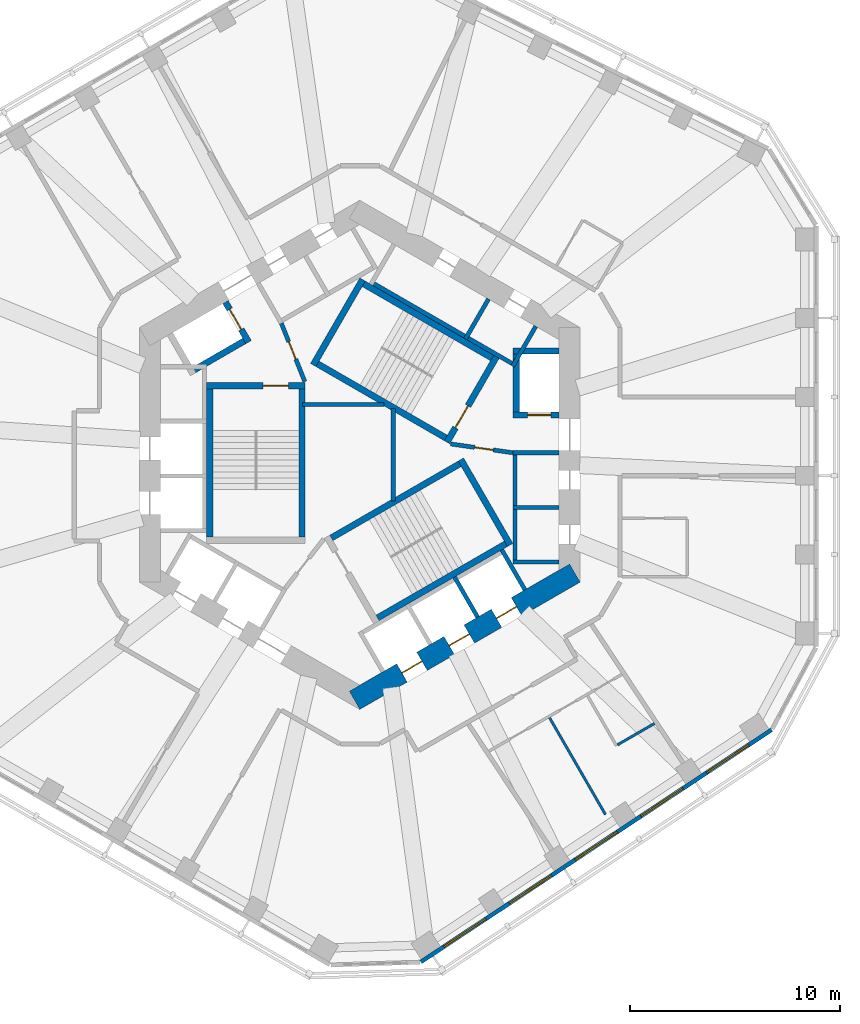
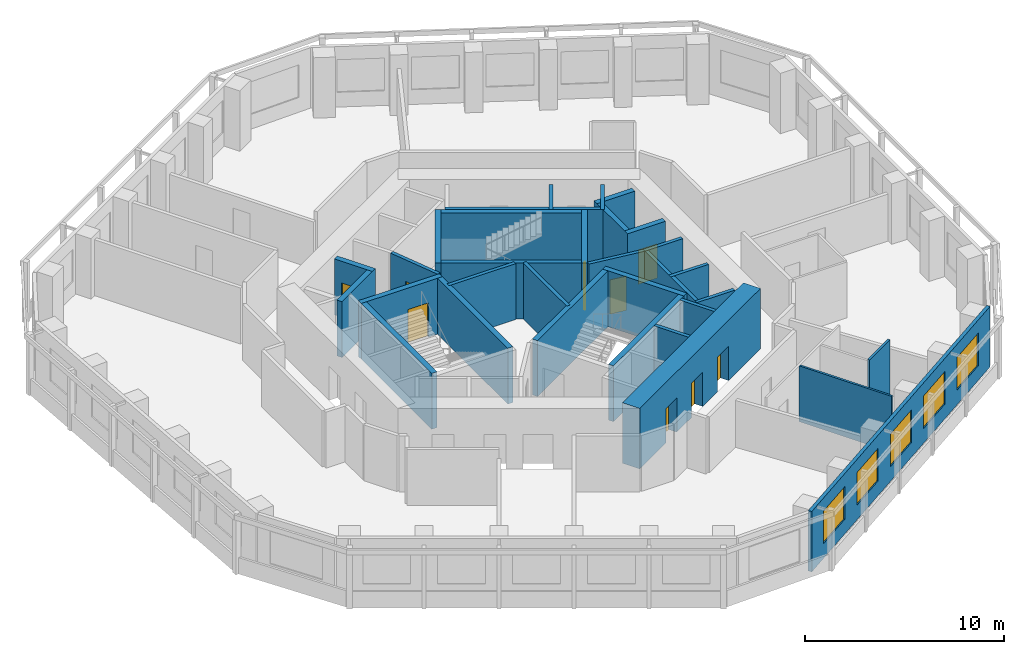
# One storey, part 5 of 10: 32 walls, 9 doors, 5 windows, 14 openings.
"""IFC4 building model written with IfcOpenShell, lengths in metres."""

from ifc_helpers import new_model, si_unit, direction, frame, frame_2d, origin, place, context, subcontext, project, spatial, rectangle, extrude, material, layer, layer_set, type_object, element, fill, save


model = new_model("IFC4")

# Units and contexts
model_context = context("Model", 3, precision=1e-05, world=origin(), true_north=direction((0.0, 1.0)))
body_context = subcontext(model_context, "Body", "Model", "MODEL_VIEW")
ifc_project = project(units=[si_unit("LENGTHUNIT", "METRE"), si_unit("AREAUNIT", "SQUARE_METRE"), si_unit("VOLUMEUNIT", "CUBIC_METRE"), si_unit("PLANEANGLEUNIT", "RADIAN"), si_unit("MASSUNIT", "GRAM", prefix="KILO")], contexts=[model_context])

# Site, building, storey
site_placement = place(None, origin())
site = spatial("IfcSite", under=ifc_project, at=site_placement, CompositionType="ELEMENT")
building_placement = place(site_placement, origin())
building = spatial("IfcBuilding", under=site, at=building_placement, Name="Vanh Sen Convention Tower", CompositionType="ELEMENT")
storey_placement = place(building_placement, frame((0.0, 0.0, 194.699951171875)))
storey = spatial("IfcBuildingStorey", under=building, at=storey_placement, Name="L48", CompositionType="ELEMENT", Elevation=194.699951171875)

# Walls
ifc_material_1 = material(Name="Moisture-resistant gypsum board on steel studs", Category="steel")
ifc_layer_1 = layer(ifc_material_1, 0.1201171875)
ifc_layer_set_1 = layer_set([ifc_layer_1], Name="Moisture-resistant gypsum board on steel studs")
wall_type_1 = type_object("IfcWallType", Name="Bathroom partition 120", PredefinedType="PARTITIONING", material=ifc_layer_set_1)
wall_1_placement = place(storey_placement, frame((11.705322265625, -17.1357421875, 0.0), z_axis=(0.0, 0.0, 1.0), x_axis=(-0.499985382219, 0.8660338432, 0.0)))
element("IfcWall", 1, at=wall_1_placement, inside=storey, type_object=wall_type_1, Name="Bathroom partition 120", PredefinedType="PARTITIONING", context=body_context, shape_type="SweptSolid", body=[
    extrude(rectangle(XDim=5.331787109375, YDim=0.1201171875, at=frame_2d((2.666015625, 0.0))), origin(), (0.0, 0.0, 1.0), 3.420166015625),
])
wall_2_placement = place(storey_placement, frame((12.274658203125, -13.814453125, 0.0), z_axis=(0.0, 0.0, 1.0), x_axis=(0.866010195725, 0.500026340207, 0.0)))
element("IfcWall", 2, at=wall_2_placement, inside=storey, type_object=wall_type_1, Name="Bathroom partition 120", PredefinedType="PARTITIONING", context=body_context, shape_type="SweptSolid", body=[
    extrude(rectangle(XDim=2.0400390625, YDim=0.1201171875, at=frame_2d((1.02001953125, 0.0))), origin(), (0.0, 0.0, 1.0), 3.420166015625),
])

# Wall, openings, doors
ifc_material_2 = material(Name="Concrete C80/95", Category="concrete")
ifc_layer_2 = layer(ifc_material_2, 1.0)
ifc_layer_set_2 = layer_set([ifc_layer_2], Name="Concrete C80/95")
wall_type_2 = type_object("IfcWallType", Name="Core outer wall 1000 C80/95", PredefinedType="SHEAR", material=ifc_layer_set_2)
wall_3_placement = place(storey_placement, frame((-0.25, -11.69140625, 0.0), z_axis=(0.0, 0.0, 1.0), x_axis=(0.866022616891, 0.50000482701, 0.0)))
wall_3 = element("IfcWall", 3, at=wall_3_placement, inside=storey, type_object=wall_type_2, Name="Core wall face SE L48", PredefinedType="SHEAR", context=body_context, shape_type="SweptSolid", body=[
    extrude(rectangle(XDim=12.12451171875, YDim=1.0, at=frame_2d((6.062255859375, 0.0))), origin(), (0.0, 0.0, 1.0), 3.699951171875),
])
opening_1_placement = place(wall_3_placement, frame((2.6123046875, 0.0, 0.0)))
opening_1 = element("IfcOpeningElement", 4, at=opening_1_placement, cuts=wall_3, Name="Opening LD-HR5", PredefinedType="OPENING", context=body_context, shape_type="SweptSolid", body=[
    extrude(rectangle(XDim=1.10009765625, YDim=2.10009765625, at=frame_2d((0.550048828125, 1.050048828125))), frame((0.0, 0.510009765625, 0.0), z_axis=(0.0, -1.0, 0.0), x_axis=(1.0, 0.0, 0.0)), (0.0, 0.0, 1.0), 1.02001953125),
])
opening_2_placement = place(wall_3_placement, frame((5.212158203125, 0.0, 0.0)))
opening_2 = element("IfcOpeningElement", 5, at=opening_2_placement, cuts=wall_3, Name="Opening LD-HR6", PredefinedType="OPENING", context=body_context, shape_type="SweptSolid", body=[
    extrude(rectangle(XDim=1.10009765625, YDim=2.10009765625, at=frame_2d((0.550048828125, 1.050048828125))), frame((0.0, 0.510009765625, 0.0), z_axis=(0.0, -1.0, 0.0), x_axis=(1.0, 0.0, 0.0)), (0.0, 0.0, 1.0), 1.02001953125),
])
opening_3_placement = place(wall_3_placement, frame((7.812255859375, 0.0, 0.0)))
opening_3 = element("IfcOpeningElement", 6, at=opening_3_placement, cuts=wall_3, Name="Opening LD-SV1", PredefinedType="OPENING", context=body_context, shape_type="SweptSolid", body=[
    extrude(rectangle(XDim=1.10009765625, YDim=2.10009765625, at=frame_2d((0.550048828125, 1.050048828125))), frame((0.0, 0.510009765625, 0.0), z_axis=(0.0, -1.0, 0.0), x_axis=(1.0, 0.0, 0.0)), (0.0, 0.0, 1.0), 1.02001953125),
])
ifc_material_3 = material(Name="Stainless steel", Category="steel")
door_type_1 = type_object("IfcDoorType", Name="Lift landing door 1100", OperationType="DOUBLE_DOOR_SLIDING", PredefinedType="DOOR", material=ifc_material_3)
door_1_placement = place(opening_1_placement, origin())
door_1 = element("IfcDoor", 7, at=door_1_placement, inside=storey, type_object=door_type_1, Name="Lift HR5 landing door LD-HR5", OperationType="DOUBLE_DOOR_SLIDING", OverallHeight=2.10009765625, OverallWidth=1.10009765625, PredefinedType="DOOR", context=body_context, shape_type="SweptSolid", body=[
    extrude(rectangle(XDim=1.10009765625, YDim=2.10009765625, at=frame_2d((0.550048828125, 1.050048828125))), frame((0.0, 0.02490234375, 0.0), z_axis=(0.0, -1.0, 0.0), x_axis=(1.0, 0.0, 0.0)), (0.0, 0.0, 1.0), 0.050048828125),
])
fill(opening_1, door_1)
door_2_placement = place(opening_2_placement, origin())
door_2 = element("IfcDoor", 8, at=door_2_placement, inside=storey, type_object=door_type_1, Name="Lift HR6 landing door LD-HR6", OperationType="DOUBLE_DOOR_SLIDING", OverallHeight=2.10009765625, OverallWidth=1.10009765625, PredefinedType="DOOR", context=body_context, shape_type="SweptSolid", body=[
    extrude(rectangle(XDim=1.10009765625, YDim=2.10009765625, at=frame_2d((0.550048828125, 1.050048828125))), frame((0.0, 0.02490234375, 0.0), z_axis=(0.0, -1.0, 0.0), x_axis=(1.0, 0.0, 0.0)), (0.0, 0.0, 1.0), 0.050048828125),
])
fill(opening_2, door_2)
door_3_placement = place(opening_3_placement, origin())
door_3 = element("IfcDoor", 9, at=door_3_placement, inside=storey, type_object=door_type_1, Name="Lift SV1 landing door LD-SV1", OperationType="DOUBLE_DOOR_SLIDING", OverallHeight=2.10009765625, OverallWidth=1.10009765625, PredefinedType="DOOR", context=body_context, shape_type="SweptSolid", body=[
    extrude(rectangle(XDim=1.10009765625, YDim=2.10009765625, at=frame_2d((0.550048828125, 1.050048828125))), frame((0.0, 0.02490234375, 0.0), z_axis=(0.0, -1.0, 0.0), x_axis=(1.0, 0.0, 0.0)), (0.0, 0.0, 1.0), 0.050048828125),
])
fill(opening_3, door_3)

# Walls
ifc_material_4 = material(Name="Masonry blockwork", Category="masonry")
ifc_layer_3 = layer(ifc_material_4, 0.199951171875)
ifc_layer_set_3 = layer_set([ifc_layer_3], Name="Masonry blockwork")
wall_type_3 = type_object("IfcWallType", Name="Core partition 200", PredefinedType="PARTITIONING", material=ifc_layer_set_3)
wall_4_placement = place(storey_placement, frame((-2.719970703125, 2.39990234375, 0.0), z_axis=(0.0, 0.0, 1.0), x_axis=(1.0, 0.0, 0.0)))
element("IfcWall", 10, at=wall_4_placement, inside=storey, type_object=wall_type_3, Name="Core partition L48", PredefinedType="PARTITIONING", context=body_context, shape_type="SweptSolid", body=[
    extrude(rectangle(XDim=3.883056640625, YDim=0.199951171875, at=frame_2d((1.94140625, 0.0))), origin(), (0.0, 0.0, 1.0), 3.420166015625),
])
wall_5_placement = place(storey_placement, frame((1.60009765625, -2.198486328125, 0.0), z_axis=(0.0, 0.0, 1.0), x_axis=(0.0, 1.0, 0.0)))
element("IfcWall", 11, at=wall_5_placement, inside=storey, type_object=wall_type_3, Name="Core partition L48", PredefinedType="PARTITIONING", context=body_context, shape_type="SweptSolid", body=[
    extrude(rectangle(XDim=4.39697265625, YDim=0.199951171875, at=frame_2d((2.198486328125, 0.0))), origin(), (0.0, 0.0, 1.0), 3.420166015625),
])

# Wall, openings, windows
ifc_material_5 = material(Name="Insulated lightweight infill wall")
ifc_layer_4 = layer(ifc_material_5, 0.199951171875)
ifc_layer_set_4 = layer_set([ifc_layer_4], Name="Insulated lightweight infill wall")
wall_type_4 = type_object("IfcWallType", Name="External wall 200", PredefinedType="STANDARD", material=ifc_layer_set_4)
wall_6_placement = place(storey_placement, frame((2.910888671875, -24.156005859375, 0.0), z_axis=(0.0, 0.0, 1.0), x_axis=(0.833882163564, 0.551942512668, 0.0)))
wall_6 = element("IfcWall", 12, at=wall_6_placement, inside=storey, type_object=wall_type_4, Name="External wall SE L48", PredefinedType="STANDARD", context=body_context, shape_type="SweptSolid", body=[
    extrude(rectangle(XDim=20.043701171875, YDim=0.199951171875, at=frame_2d((10.02197265625, 0.0))), origin(), (0.0, 0.0, 1.0), 3.699951171875),
])
opening_4_placement = place(wall_6_placement, frame((1.312744140625, 0.0, 0.89990234375)))
opening_4 = element("IfcOpeningElement", 13, at=opening_4_placement, cuts=wall_6, Name="Opening WO1-SE1", PredefinedType="OPENING", context=body_context, shape_type="SweptSolid", body=[
    extrude(rectangle(XDim=2.39990234375, YDim=2.0, at=frame_2d((1.199951171875, 1.0))), frame((0.0, 0.10986328125, 0.0), z_axis=(0.0, -1.0, 0.0), x_axis=(1.0, 0.0, 0.0)), (0.0, 0.0, 1.0), 0.219970703125),
])
opening_5_placement = place(wall_6_placement, frame((5.06689453125, 0.0, 0.89990234375)))
opening_5 = element("IfcOpeningElement", 14, at=opening_5_placement, cuts=wall_6, Name="Opening WO1-SE2", PredefinedType="OPENING", context=body_context, shape_type="SweptSolid", body=[
    extrude(rectangle(XDim=2.39990234375, YDim=2.0, at=frame_2d((1.199951171875, 1.0))), frame((0.0, 0.10986328125, 0.0), z_axis=(0.0, -1.0, 0.0), x_axis=(1.0, 0.0, 0.0)), (0.0, 0.0, 1.0), 0.219970703125),
])
opening_6_placement = place(wall_6_placement, frame((8.82080078125, 0.0, 0.89990234375)))
opening_6 = element("IfcOpeningElement", 15, at=opening_6_placement, cuts=wall_6, Name="Opening WO1-SE3", PredefinedType="OPENING", context=body_context, shape_type="SweptSolid", body=[
    extrude(rectangle(XDim=2.39990234375, YDim=2.0, at=frame_2d((1.199951171875, 1.0))), frame((0.0, 0.10986328125, 0.0), z_axis=(0.0, -1.0, 0.0), x_axis=(1.0, 0.0, 0.0)), (0.0, 0.0, 1.0), 0.219970703125),
])
opening_7_placement = place(wall_6_placement, frame((12.5751953125, 0.0, 0.89990234375)))
opening_7 = element("IfcOpeningElement", 16, at=opening_7_placement, cuts=wall_6, Name="Opening WO1-SE4", PredefinedType="OPENING", context=body_context, shape_type="SweptSolid", body=[
    extrude(rectangle(XDim=2.39990234375, YDim=2.0, at=frame_2d((1.199951171875, 1.0))), frame((0.0, 0.10986328125, 0.0), z_axis=(0.0, -1.0, 0.0), x_axis=(1.0, 0.0, 0.0)), (0.0, 0.0, 1.0), 0.219970703125),
])
opening_8_placement = place(wall_6_placement, frame((16.3291015625, 0.0, 0.89990234375)))
opening_8 = element("IfcOpeningElement", 17, at=opening_8_placement, cuts=wall_6, Name="Opening WO1-SE5", PredefinedType="OPENING", context=body_context, shape_type="SweptSolid", body=[
    extrude(rectangle(XDim=2.39990234375, YDim=2.0, at=frame_2d((1.199951171875, 1.0))), frame((0.0, 0.10986328125, 0.0), z_axis=(0.0, -1.0, 0.0), x_axis=(1.0, 0.0, 0.0)), (0.0, 0.0, 1.0), 0.219970703125),
])
ifc_material_6 = material(Name="Aluminium frame with clear low-emissivity glass", Category="aluminium")
window_type = type_object("IfcWindowType", Name="Office window 2400 x 2000", PartitioningType="SINGLE_PANEL", PredefinedType="WINDOW", material=ifc_material_6)
window_1_placement = place(opening_4_placement, origin())
window_1 = element("IfcWindow", 18, at=window_1_placement, inside=storey, type_object=window_type, Name="Window WO1-SE1", OverallHeight=2.0, OverallWidth=2.39990234375, PartitioningType="SINGLE_PANEL", PredefinedType="WINDOW", context=body_context, shape_type="SweptSolid", body=[
    extrude(rectangle(XDim=2.39990234375, YDim=2.0, at=frame_2d((1.199951171875, 1.0))), frame((0.0, 0.030029296875, 0.0), z_axis=(0.0, -1.0, 0.0), x_axis=(1.0, 0.0, 0.0)), (0.0, 0.0, 1.0), 0.06005859375),
])
fill(opening_4, window_1)
window_2_placement = place(opening_5_placement, origin())
window_2 = element("IfcWindow", 19, at=window_2_placement, inside=storey, type_object=window_type, Name="Window WO1-SE2", OverallHeight=2.0, OverallWidth=2.39990234375, PartitioningType="SINGLE_PANEL", PredefinedType="WINDOW", context=body_context, shape_type="SweptSolid", body=[
    extrude(rectangle(XDim=2.39990234375, YDim=2.0, at=frame_2d((1.199951171875, 1.0))), frame((0.0, 0.030029296875, 0.0), z_axis=(0.0, -1.0, 0.0), x_axis=(1.0, 0.0, 0.0)), (0.0, 0.0, 1.0), 0.06005859375),
])
fill(opening_5, window_2)
window_3_placement = place(opening_6_placement, origin())
window_3 = element("IfcWindow", 20, at=window_3_placement, inside=storey, type_object=window_type, Name="Window WO1-SE3", OverallHeight=2.0, OverallWidth=2.39990234375, PartitioningType="SINGLE_PANEL", PredefinedType="WINDOW", context=body_context, shape_type="SweptSolid", body=[
    extrude(rectangle(XDim=2.39990234375, YDim=2.0, at=frame_2d((1.199951171875, 1.0))), frame((0.0, 0.030029296875, 0.0), z_axis=(0.0, -1.0, 0.0), x_axis=(1.0, 0.0, 0.0)), (0.0, 0.0, 1.0), 0.06005859375),
])
fill(opening_6, window_3)
window_4_placement = place(opening_7_placement, origin())
window_4 = element("IfcWindow", 21, at=window_4_placement, inside=storey, type_object=window_type, Name="Window WO1-SE4", OverallHeight=2.0, OverallWidth=2.39990234375, PartitioningType="SINGLE_PANEL", PredefinedType="WINDOW", context=body_context, shape_type="SweptSolid", body=[
    extrude(rectangle(XDim=2.39990234375, YDim=2.0, at=frame_2d((1.199951171875, 1.0))), frame((0.0, 0.030029296875, 0.0), z_axis=(0.0, -1.0, 0.0), x_axis=(1.0, 0.0, 0.0)), (0.0, 0.0, 1.0), 0.06005859375),
])
fill(opening_7, window_4)
window_5_placement = place(opening_8_placement, origin())
window_5 = element("IfcWindow", 22, at=window_5_placement, inside=storey, type_object=window_type, Name="Window WO1-SE5", OverallHeight=2.0, OverallWidth=2.39990234375, PartitioningType="SINGLE_PANEL", PredefinedType="WINDOW", context=body_context, shape_type="SweptSolid", body=[
    extrude(rectangle(XDim=2.39990234375, YDim=2.0, at=frame_2d((1.199951171875, 1.0))), frame((0.0, 0.030029296875, 0.0), z_axis=(0.0, -1.0, 0.0), x_axis=(1.0, 0.0, 0.0)), (0.0, 0.0, 1.0), 0.06005859375),
])
fill(opening_8, window_5)

# Wall, opening, door
ifc_material_7 = material(Name="Concrete C60/75", Category="concrete")
ifc_layer_5 = layer(ifc_material_7, 0.300048828125)
ifc_layer_set_5 = layer_set([ifc_layer_5], Name="Concrete C60/75")
wall_type_5 = type_object("IfcWallType", Name="Fire-fighting lift shaft wall 300", PredefinedType="SHEAR", material=ifc_layer_set_5)
wall_7_placement = place(storey_placement, frame((7.300048828125, 1.89990234375, 0.0), z_axis=(0.0, 0.0, 1.0), x_axis=(1.0, 0.0, 0.0)))
wall_7 = element("IfcWall", 23, at=wall_7_placement, inside=storey, type_object=wall_type_5, Name="Fire-fighting lift shaft wall L48", PredefinedType="SHEAR", context=body_context, shape_type="SweptSolid", body=[
    extrude(rectangle(XDim=2.199951171875, YDim=0.300048828125, at=frame_2d((1.10009765625, 0.0))), origin(), (0.0, 0.0, 1.0), 3.420166015625),
])
opening_9_placement = place(wall_7_placement, frame((0.699951171875, 0.0, 0.0)))
opening_9 = element("IfcOpeningElement", 24, at=opening_9_placement, cuts=wall_7, Name="Opening LD-FF1", PredefinedType="OPENING", context=body_context, shape_type="SweptSolid", body=[
    extrude(rectangle(XDim=1.10009765625, YDim=2.10009765625, at=frame_2d((0.550048828125, 1.050048828125))), frame((0.0, 0.159912109375, 0.0), z_axis=(0.0, -1.0, 0.0), x_axis=(1.0, 0.0, 0.0)), (0.0, 0.0, 1.0), 0.320068359375),
])
door_type_2 = type_object("IfcDoorType", Name="Fire-fighting lift landing door 1100", OperationType="DOUBLE_DOOR_SLIDING", PredefinedType="DOOR", material=ifc_material_3)
door_4_placement = place(opening_9_placement, origin())
door_4 = element("IfcDoor", 25, at=door_4_placement, inside=storey, type_object=door_type_2, Name="Lift FF1 landing door LD-FF1", OperationType="DOUBLE_DOOR_SLIDING", OverallHeight=2.10009765625, OverallWidth=1.10009765625, PredefinedType="DOOR", context=body_context, shape_type="SweptSolid", body=[
    extrude(rectangle(XDim=1.10009765625, YDim=2.10009765625, at=frame_2d((0.550048828125, 1.050048828125))), frame((0.0, 0.02490234375, 0.0), z_axis=(0.0, -1.0, 0.0), x_axis=(1.0, 0.0, 0.0)), (0.0, 0.0, 1.0), 0.050048828125),
])
fill(opening_9, door_4)

# Walls
wall_8_placement = place(storey_placement, frame((7.449951171875, 1.75, 0.0), z_axis=(0.0, 0.0, 1.0), x_axis=(0.0, 1.0, 0.0)))
element("IfcWall", 26, at=wall_8_placement, inside=storey, type_object=wall_type_5, Name="Fire-fighting lift shaft wall L48", PredefinedType="SHEAR", context=body_context, shape_type="SweptSolid", body=[
    extrude(rectangle(XDim=3.35009765625, YDim=0.300048828125, at=frame_2d((1.675048828125, 0.0))), origin(), (0.0, 0.0, 1.0), 3.420166015625),
])
wall_9_placement = place(storey_placement, frame((7.300048828125, 4.949951171875, 0.0), z_axis=(0.0, 0.0, 1.0), x_axis=(1.0, 0.0, 0.0)))
element("IfcWall", 27, at=wall_9_placement, inside=storey, type_object=wall_type_5, Name="Fire-fighting lift shaft wall L48", PredefinedType="SHEAR", context=body_context, shape_type="SweptSolid", body=[
    extrude(rectangle(XDim=2.199951171875, YDim=0.300048828125, at=frame_2d((1.10009765625, 0.0))), origin(), (0.0, 0.0, 1.0), 3.420166015625),
])

# Wall, opening, door
wall_10_placement = place(storey_placement, frame((-5.29541015625, 5.3720703125, 0.0), z_axis=(0.0, 0.0, 1.0), x_axis=(-0.500077893725, 0.86598042715, 0.0)))
wall_10 = element("IfcWall", 28, at=wall_10_placement, inside=storey, type_object=wall_type_5, Name="Fire-fighting lift shaft wall L48", PredefinedType="SHEAR", context=body_context, shape_type="SweptSolid", body=[
    extrude(rectangle(XDim=2.199951171875, YDim=0.300048828125, at=frame_2d((1.10009765625, 0.0))), origin(), (0.0, 0.0, 1.0), 3.420166015625),
])
opening_10_placement = place(wall_10_placement, frame((0.699951171875, 0.0, 0.0)))
opening_10 = element("IfcOpeningElement", 29, at=opening_10_placement, cuts=wall_10, Name="Opening LD-FF2", PredefinedType="OPENING", context=body_context, shape_type="SweptSolid", body=[
    extrude(rectangle(XDim=1.10009765625, YDim=2.10009765625, at=frame_2d((0.550048828125, 1.050048828125))), frame((0.0, 0.159912109375, 0.0), z_axis=(0.0, -1.0, 0.0), x_axis=(1.0, 0.0, 0.0)), (0.0, 0.0, 1.0), 0.320068359375),
])
door_5_placement = place(opening_10_placement, origin())
door_5 = element("IfcDoor", 30, at=door_5_placement, inside=storey, type_object=door_type_2, Name="Lift FF2 landing door LD-FF2", OperationType="DOUBLE_DOOR_SLIDING", OverallHeight=2.10009765625, OverallWidth=1.10009765625, PredefinedType="DOOR", context=body_context, shape_type="SweptSolid", body=[
    extrude(rectangle(XDim=1.10009765625, YDim=2.10009765625, at=frame_2d((0.550048828125, 1.050048828125))), frame((0.0, 0.02490234375, 0.0), z_axis=(0.0, -1.0, 0.0), x_axis=(1.0, 0.0, 0.0)), (0.0, 0.0, 1.0), 0.050048828125),
])
fill(opening_10, door_5)

# Walls
wall_11_placement = place(storey_placement, frame((-5.240478515625, 5.576904296875, 0.0), z_axis=(0.0, 0.0, 1.0), x_axis=(-0.866014461049, -0.500018952895, 0.0)))
element("IfcWall", 31, at=wall_11_placement, inside=storey, type_object=wall_type_5, Name="Fire-fighting lift shaft wall L48", PredefinedType="SHEAR", context=body_context, shape_type="SweptSolid", body=[
    extrude(rectangle(XDim=3.349853515625, YDim=0.300048828125, at=frame_2d((1.6748046875, 0.0))), origin(), (0.0, 0.0, 1.0), 3.420166015625),
])
ifc_material_8 = material(Name="Concrete C40/50", Category="concrete")
ifc_layer_6 = layer(ifc_material_8, 0.199951171875)
ifc_layer_set_6 = layer_set([ifc_layer_6], Name="Concrete C40/50")
wall_type_6 = type_object("IfcWallType", Name="Lift shaft wall 200", PredefinedType="PARTITIONING", material=ifc_layer_set_6)
wall_12_placement = place(storey_placement, frame((7.39990234375, -5.199951171875, 0.0), z_axis=(0.0, 0.0, 1.0), x_axis=(0.0, 1.0, 0.0)))
element("IfcWall", 32, at=wall_12_placement, inside=storey, type_object=wall_type_6, Name="Lift shaft wall L48", PredefinedType="PARTITIONING", context=body_context, shape_type="SweptSolid", body=[
    extrude(rectangle(XDim=5.39990234375, YDim=0.199951171875, at=frame_2d((2.699951171875, 0.0))), origin(), (0.0, 0.0, 1.0), 3.420166015625),
])
for number, where, z_axis, x_axis, name in (
    (33, (7.300048828125, -5.10009765625, 0.0), (0.0, 0.0, 1.0), (1.0, 0.0, 0.0), "Lift shaft wall L48"),
    (34, (7.300048828125, -2.5, 0.0), (0.0, 0.0, 1.0), (1.0, 0.0, 0.0), "Lift shaft wall L48"),
    (35, (7.300048828125, 0.10009765625, 0.0), (0.0, 0.0, 1.0), (1.0, 0.0, 0.0), "Lift shaft wall L48"),
):
    element("IfcWall", number, at=place(storey_placement, frame(where, z_axis=z_axis, x_axis=x_axis)), inside=storey, type_object=wall_type_6, Name=name, PredefinedType="PARTITIONING", context=body_context, shape_type="SweptSolid", body=[
        extrude(rectangle(XDim=2.199951171875, YDim=0.199951171875, at=frame_2d((1.10009765625, 0.0))), origin(), (0.0, 0.0, 1.0), 3.420166015625),
    ])
wall_13_placement = place(storey_placement, frame((7.423828125, 4.258544921875, 0.0), z_axis=(0.0, 0.0, 1.0), x_axis=(-0.866026010844, 0.49999894854, 0.0)))
element("IfcWall", 36, at=wall_13_placement, inside=storey, type_object=wall_type_6, Name="Lift shaft wall L48", PredefinedType="PARTITIONING", context=body_context, shape_type="SweptSolid", body=[
    extrude(rectangle(XDim=8.0, YDim=0.199951171875, at=frame_2d((4.0, 0.0))), origin(), (0.0, 0.0, 1.0), 3.420166015625),
])
for number, where, z_axis, x_axis, name in (
    (37, (7.287353515625, 4.221923828125, 0.0), (0.0, 0.0, 1.0), (0.499946605688, 0.86605622881, 0.0), "Lift shaft wall L48"),
    (38, (5.03564453125, 5.52197265625, 0.0), (0.0, 0.0, 1.0), (0.499946605688, 0.86605622881, 0.0), "Lift shaft wall L48"),
    (39, (4.51611328125, -5.822021484375, 0.0), (0.0, 0.0, 1.0), (0.499946605688, -0.86605622881, 0.0), "Lift shaft wall L48"),
    (40, (6.767578125, -4.52197265625, 0.0), (0.0, 0.0, 1.0), (0.50002983664, -0.866008176907, 0.0), "Lift shaft wall L48"),
):
    element("IfcWall", number, at=place(storey_placement, frame(where, z_axis=z_axis, x_axis=x_axis)), inside=storey, type_object=wall_type_6, Name=name, PredefinedType="PARTITIONING", context=body_context, shape_type="SweptSolid", body=[
        extrude(rectangle(XDim=2.199951171875, YDim=0.199951171875, at=frame_2d((1.10009765625, 0.0))), origin(), (0.0, 0.0, 1.0), 3.420166015625),
    ])

# Wall, opening, door
ifc_layer_7 = layer(ifc_material_8, 0.199951171875)
ifc_layer_set_7 = layer_set([ifc_layer_7], Name="Concrete C40/50")
wall_type_7 = type_object("IfcWallType", Name="Stair lobby wall 200", PredefinedType="PARTITIONING", material=ifc_layer_set_7)
wall_14_placement = place(storey_placement, frame((4.327392578125, 0.52099609375, 0.0), z_axis=(0.0, 0.0, 1.0), x_axis=(0.990124376366, -0.14019172346, 0.0)))
wall_14 = element("IfcWall", 41, at=wall_14_placement, inside=storey, type_object=wall_type_7, Name="Stair lobby wall L48", PredefinedType="PARTITIONING", context=body_context, shape_type="SweptSolid", body=[
    extrude(rectangle(XDim=3.002197265625, YDim=0.199951171875, at=frame_2d((1.5009765625, 0.0))), origin(), (0.0, 0.0, 1.0), 3.420166015625),
])
opening_11_placement = place(wall_14_placement, frame((1.14990234375, 0.0, 0.0)))
opening_11 = element("IfcOpeningElement", 42, at=opening_11_placement, cuts=wall_14, Name="Opening D47007", PredefinedType="OPENING", context=body_context, shape_type="SweptSolid", body=[
    extrude(rectangle(XDim=0.89990234375, YDim=2.10009765625, at=frame_2d((0.449951171875, 1.050048828125))), frame((0.0, 0.10986328125, 0.0), z_axis=(0.0, -1.0, 0.0), x_axis=(1.0, 0.0, 0.0)), (0.0, 0.0, 1.0), 0.219970703125),
])
ifc_material_9 = material(Name="Steel S355", Category="steel")
door_type_3 = type_object("IfcDoorType", Name="Plant door 900", OperationType="SINGLE_SWING_LEFT", PredefinedType="DOOR", material=ifc_material_9)
door_6_placement = place(opening_11_placement, origin())
door_6 = element("IfcDoor", 43, at=door_6_placement, inside=storey, type_object=door_type_3, Name="Plant door D47007", OperationType="SINGLE_SWING_LEFT", OverallHeight=2.10009765625, OverallWidth=0.89990234375, PredefinedType="DOOR", context=body_context, shape_type="SweptSolid", body=[
    extrude(rectangle(XDim=0.89990234375, YDim=2.10009765625, at=frame_2d((0.449951171875, 1.050048828125))), frame((0.0, 0.02490234375, 0.0), z_axis=(0.0, -1.0, 0.0), x_axis=(1.0, 0.0, 0.0)), (0.0, 0.0, 1.0), 0.050048828125),
])
fill(opening_11, door_6)

wall_15_placement = place(storey_placement, frame((-2.614990234375, 3.487060546875, 0.0), z_axis=(0.0, 0.0, 1.0), x_axis=(-0.373576831041, 0.92759924068, 0.0)))
wall_15 = element("IfcWall", 44, at=wall_15_placement, inside=storey, type_object=wall_type_7, Name="Stair lobby wall L48", PredefinedType="PARTITIONING", context=body_context, shape_type="SweptSolid", body=[
    extrude(rectangle(XDim=3.002197265625, YDim=0.199951171875, at=frame_2d((1.5009765625, 0.0))), origin(), (0.0, 0.0, 1.0), 3.420166015625),
])
opening_12_placement = place(wall_15_placement, frame((1.14990234375, 0.0, 0.0)))
opening_12 = element("IfcOpeningElement", 45, at=opening_12_placement, cuts=wall_15, Name="Opening D47008", PredefinedType="OPENING", context=body_context, shape_type="SweptSolid", body=[
    extrude(rectangle(XDim=0.89990234375, YDim=2.10009765625, at=frame_2d((0.449951171875, 1.050048828125))), frame((0.0, 0.10986328125, 0.0), z_axis=(0.0, -1.0, 0.0), x_axis=(1.0, 0.0, 0.0)), (0.0, 0.0, 1.0), 0.219970703125),
])
door_7_placement = place(opening_12_placement, origin())
door_7 = element("IfcDoor", 46, at=door_7_placement, inside=storey, type_object=door_type_3, Name="Plant door D47008", OperationType="SINGLE_SWING_LEFT", OverallHeight=2.10009765625, OverallWidth=0.89990234375, PredefinedType="DOOR", context=body_context, shape_type="SweptSolid", body=[
    extrude(rectangle(XDim=0.89990234375, YDim=2.10009765625, at=frame_2d((0.449951171875, 1.050048828125))), frame((0.0, 0.02490234375, 0.0), z_axis=(0.0, -1.0, 0.0), x_axis=(1.0, 0.0, 0.0)), (0.0, 0.0, 1.0), 0.050048828125),
])
fill(opening_12, door_7)

ifc_layer_8 = layer(ifc_material_7, 0.300048828125)
ifc_layer_set_8 = layer_set([ifc_layer_8], Name="Concrete C60/75")
wall_type_8 = type_object("IfcWallType", Name="Stair wall 300", PredefinedType="SHEAR", material=ifc_layer_set_8)
wall_16_placement = place(storey_placement, frame((4.157958984375, 0.601806640625, 0.0), z_axis=(0.0, 0.0, 1.0), x_axis=(0.499977259774, 0.866038532462, 0.0)))
wall_16 = element("IfcWall", 47, at=wall_16_placement, inside=storey, type_object=wall_type_8, Name="Stair wall L48", PredefinedType="SHEAR", context=body_context, shape_type="SweptSolid", body=[
    extrude(rectangle(XDim=4.699951171875, YDim=0.300048828125, at=frame_2d((2.35009765625, 0.0))), origin(), (0.0, 0.0, 1.0), 3.420166015625),
])
opening_13_placement = place(wall_16_placement, frame((0.800048828125, 0.0, 0.0)))
opening_13 = element("IfcOpeningElement", 48, at=opening_13_placement, cuts=wall_16, Name="Opening D47004", PredefinedType="OPENING", context=body_context, shape_type="SweptSolid", body=[
    extrude(rectangle(XDim=1.199951171875, YDim=2.10009765625, at=frame_2d((0.60009765625, 1.050048828125))), frame((0.0, 0.159912109375, 0.0), z_axis=(0.0, -1.0, 0.0), x_axis=(1.0, 0.0, 0.0)), (0.0, 0.0, 1.0), 0.320068359375),
])
door_type_4 = type_object("IfcDoorType", Name="Stair door 1200", OperationType="SINGLE_SWING_RIGHT", PredefinedType="DOOR", material=ifc_material_9)
door_8_placement = place(opening_13_placement, origin())
door_8 = element("IfcDoor", 49, at=door_8_placement, inside=storey, type_object=door_type_4, Name="Stair ST1 door D47004", OperationType="SINGLE_SWING_RIGHT", OverallHeight=2.10009765625, OverallWidth=1.199951171875, PredefinedType="DOOR", context=body_context, shape_type="SweptSolid", body=[
    extrude(rectangle(XDim=1.199951171875, YDim=2.10009765625, at=frame_2d((0.60009765625, 1.050048828125))), frame((0.0, 0.02490234375, 0.0), z_axis=(0.0, -1.0, 0.0), x_axis=(1.0, 0.0, 0.0)), (0.0, 0.0, 1.0), 0.050048828125),
])
fill(opening_13, door_8)

# Walls
wall_17_placement = place(storey_placement, frame((-2.216064453125, 4.28173828125, 0.0), z_axis=(0.0, 0.0, 1.0), x_axis=(0.499977259774, 0.866038532462, 0.0)))
element("IfcWall", 50, at=wall_17_placement, inside=storey, type_object=wall_type_8, Name="Stair wall L48", PredefinedType="SHEAR", context=body_context, shape_type="SweptSolid", body=[
    extrude(rectangle(XDim=4.699951171875, YDim=0.300048828125, at=frame_2d((2.35009765625, 0.0))), origin(), (0.0, 0.0, 1.0), 3.420166015625),
])
for number, where, z_axis, x_axis, name in (
    (51, (4.10302734375, 0.806640625, 0.0), (0.0, 0.0, 1.0), (-0.866027801685, 0.499995846692, 0.0), "Stair wall L48"),
    (52, (6.302978515625, 4.6171875, 0.0), (0.0, 0.0, 1.0), (-0.866027801685, 0.499995846692, 0.0), "Stair wall L48"),
):
    element("IfcWall", number, at=place(storey_placement, frame(where, z_axis=z_axis, x_axis=x_axis)), inside=storey, type_object=wall_type_8, Name=name, PredefinedType="SHEAR", context=body_context, shape_type="SweptSolid", body=[
        extrude(rectangle(XDim=7.06005859375, YDim=0.300048828125, at=frame_2d((3.530029296875, 0.0))), origin(), (0.0, 0.0, 1.0), 3.420166015625),
    ])

# Wall, opening, door
wall_18_placement = place(storey_placement, frame((-2.60009765625, 3.300048828125, 0.0), z_axis=(0.0, 0.0, 1.0), x_axis=(-1.0, 0.0, 0.0)))
wall_18 = element("IfcWall", 53, at=wall_18_placement, inside=storey, type_object=wall_type_8, Name="Stair wall L48", PredefinedType="SHEAR", context=body_context, shape_type="SweptSolid", body=[
    extrude(rectangle(XDim=4.699951171875, YDim=0.300048828125, at=frame_2d((2.35009765625, 0.0))), origin(), (0.0, 0.0, 1.0), 3.420166015625),
])
opening_14_placement = place(wall_18_placement, frame((0.800048828125, 0.0, 0.0)))
opening_14 = element("IfcOpeningElement", 54, at=opening_14_placement, cuts=wall_18, Name="Opening D47005", PredefinedType="OPENING", context=body_context, shape_type="SweptSolid", body=[
    extrude(rectangle(XDim=1.199951171875, YDim=2.10009765625, at=frame_2d((0.60009765625, 1.050048828125))), frame((0.0, 0.159912109375, 0.0), z_axis=(0.0, -1.0, 0.0), x_axis=(1.0, 0.0, 0.0)), (0.0, 0.0, 1.0), 0.320068359375),
])
door_9_placement = place(opening_14_placement, origin())
door_9 = element("IfcDoor", 55, at=door_9_placement, inside=storey, type_object=door_type_4, Name="Stair ST2 door D47005", OperationType="SINGLE_SWING_RIGHT", OverallHeight=2.10009765625, OverallWidth=1.199951171875, PredefinedType="DOOR", context=body_context, shape_type="SweptSolid", body=[
    extrude(rectangle(XDim=1.199951171875, YDim=2.10009765625, at=frame_2d((0.60009765625, 1.050048828125))), frame((0.0, 0.02490234375, 0.0), z_axis=(0.0, -1.0, 0.0), x_axis=(1.0, 0.0, 0.0)), (0.0, 0.0, 1.0), 0.050048828125),
])
fill(opening_14, door_9)

# Walls
for number, where, z_axis, x_axis, name in (
    (56, (-2.75, 3.14990234375, 0.0), (0.0, 0.0, 1.0), (0.0, -1.0, 0.0), "Stair wall L48"),
    (57, (-7.14990234375, 3.14990234375, 0.0), (0.0, 0.0, 1.0), (0.0, -1.0, 0.0), "Stair wall L48"),
):
    element("IfcWall", number, at=place(storey_placement, frame(where, z_axis=z_axis, x_axis=x_axis)), inside=storey, type_object=wall_type_8, Name=name, PredefinedType="SHEAR", context=body_context, shape_type="SweptSolid", body=[
        extrude(rectangle(XDim=7.059814453125, YDim=0.300048828125, at=frame_2d((3.52978515625, 0.0))), origin(), (0.0, 0.0, 1.0), 3.420166015625),
    ])
wall_19_placement = place(storey_placement, frame((4.816162109375, -0.2216796875, 0.0), z_axis=(0.0, 0.0, 1.0), x_axis=(0.499977259774, -0.866038532462, 0.0)))
element("IfcWall", 58, at=wall_19_placement, inside=storey, type_object=wall_type_8, Name="Stair wall L48", PredefinedType="SHEAR", context=body_context, shape_type="SweptSolid", body=[
    extrude(rectangle(XDim=4.699951171875, YDim=0.300048828125, at=frame_2d((2.35009765625, 0.0))), origin(), (0.0, 0.0, 1.0), 3.420166015625),
])
for number, where, z_axis, x_axis, name in (
    (59, (-1.35302734375, -3.95654296875, 0.0), (0.0, 0.0, 1.0), (0.866027801685, 0.499995846692, 0.0), "Stair wall L48"),
    (60, (0.846923828125, -7.76708984375, 0.0), (0.0, 0.0, 1.0), (0.866027801685, 0.499995846692, 0.0), "Stair wall L48"),
):
    element("IfcWall", number, at=place(storey_placement, frame(where, z_axis=z_axis, x_axis=x_axis)), inside=storey, type_object=wall_type_8, Name=name, PredefinedType="SHEAR", context=body_context, shape_type="SweptSolid", body=[
        extrude(rectangle(XDim=7.06005859375, YDim=0.300048828125, at=frame_2d((3.530029296875, 0.0))), origin(), (0.0, 0.0, 1.0), 3.420166015625),
    ])

save(model, "model.ifc")
